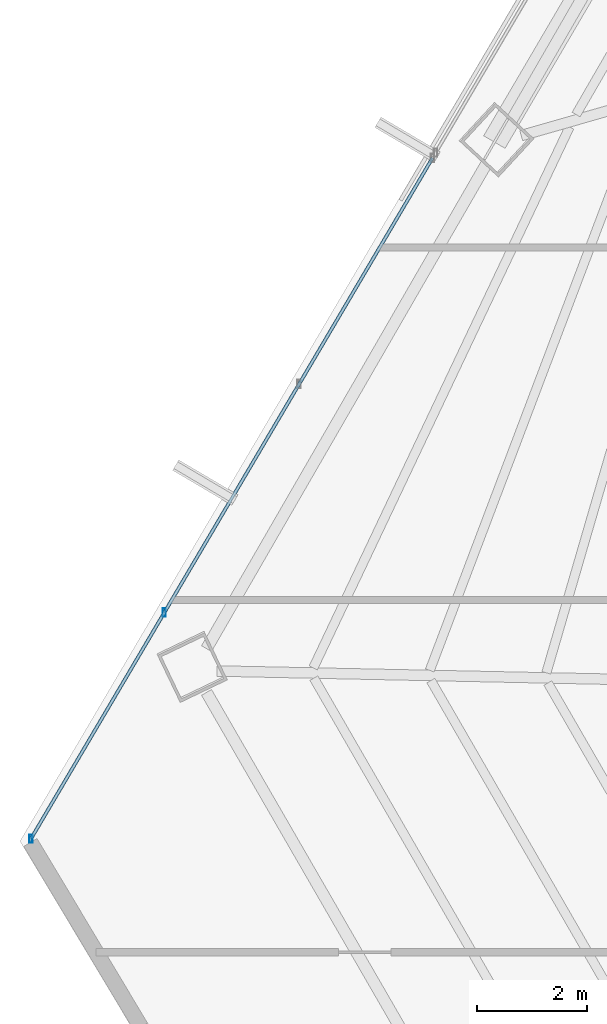
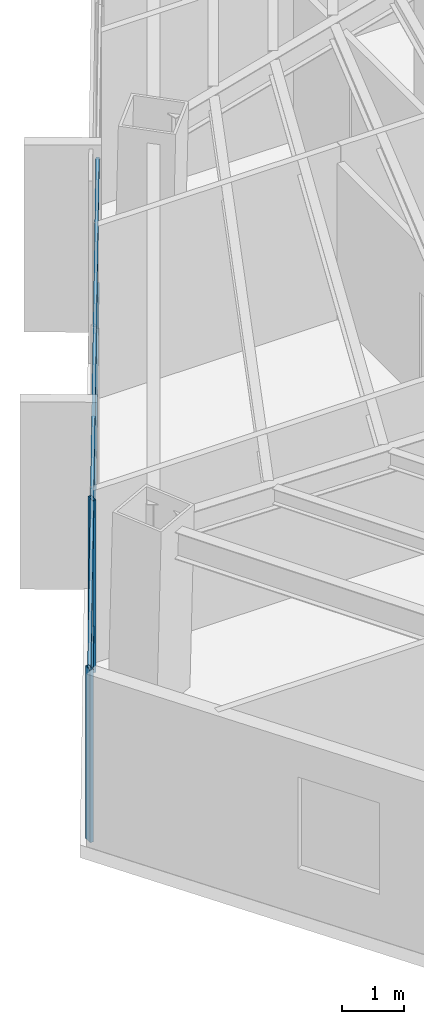
# One storey, part 6 of 41: 4 members, 1 element without a shape of its own.
"""IFC4 building model written with IfcOpenShell, lengths in metres."""

from ifc_helpers import new_model, si_unit, direction, frame, origin, origin_2d, place, context, subcontext, project, spatial, hollow_rectangle, extrude, source, transform, mapped, material, material_profile, profile_set, type_object, type_shapes, element, aggregate, save


model = new_model("IFC4")

# Units and contexts
model_context = context("Model", 3, precision=1e-05, world=origin(), true_north=direction((0.0, 1.0)))
body_context = subcontext(model_context, "Body", "Model", "MODEL_VIEW")
ifc_project = project(units=[si_unit("LENGTHUNIT", "METRE"), si_unit("AREAUNIT", "SQUARE_METRE"), si_unit("VOLUMEUNIT", "CUBIC_METRE"), si_unit("PLANEANGLEUNIT", "RADIAN"), si_unit("MASSUNIT", "GRAM", prefix="KILO")], contexts=[model_context])

# Site, building, storey
site_placement = place(None, origin())
site = spatial("IfcSite", under=ifc_project, at=site_placement, CompositionType="ELEMENT")
building_placement = place(site_placement, origin())
building = spatial("IfcBuilding", under=site, at=building_placement, Name="Caelisora Broadcast Tower", CompositionType="ELEMENT")
storey_placement = place(building_placement, frame((0.0, 0.0, 173.10009765625)))
storey = spatial("IfcBuildingStorey", under=building, at=storey_placement, Name="L45", CompositionType="ELEMENT", Elevation=173.10009765625)

# Curtain wall, members
ifc_material_1 = material(Name="Unitised Aluminium and Low-E Glass Curtain Wall", Category="glass")
curtain_wall_type = type_object("IfcCurtainWallType", Name="CW-Z3", PredefinedType="NOTDEFINED", material=ifc_material_1)
curtain_wall_placement = place(storey_placement, origin())
curtain_wall = element("IfcCurtainWall", 1, at=curtain_wall_placement, inside=storey, type_object=curtain_wall_type, Name="L45 curtain wall CW-Z3", PredefinedType="NOTDEFINED")
ifc_material_2 = material(Name="Aluminium 6063-T6 Anodised Terracotta Bronze", Category="aluminium")
ifc_material_profile_1 = material_profile(ifc_material_2, hollow_rectangle(XDim=0.06005859375, YDim=0.14990234375, WallThickness=0.00341796875, at=origin_2d()), Name="Aluminium 6063-T6 Anodised Terracotta Bronze")
ifc_profile_set_1 = profile_set([ifc_material_profile_1], Name="Aluminium 6063-T6 Anodised Terracotta Bronze")
member_type_1 = type_object("IfcMemberType", Name="CWM-03", PredefinedType="MULLION", material=ifc_profile_set_1)
shared_shape_1 = source(origin(), body_context, "Body", "SweptSolid", [
    extrude(hollow_rectangle(XDim=0.06005859375, YDim=0.14990234375, WallThickness=0.00341796875, at=origin_2d()), origin(), (0.0, 0.0, 1.0), 3.39990234375),
])
type_shapes(member_type_1, [shared_shape_1])
member_1_placement = place(storey_placement, frame((12.6484375, 14.653076171875, 0.0), z_axis=(0.0, 0.0, 1.0), x_axis=(1.0, 0.0, 0.0)))
member_1 = element("IfcMember", 2, at=member_1_placement, type_object=member_type_1, Name="L45-CW-B09 mullion #0", PredefinedType="MULLION", context=body_context, shape_type="MappedRepresentation", body=[
    mapped(shared_shape_1, transform((0.0, 0.0, 0.0), scale=1.0)),
])
member_2_placement = place(storey_placement, frame((15.072998046875, 18.763916015625, 0.0), z_axis=(0.0, 0.0, 1.0), x_axis=(1.0, 0.0, 0.0)))
member_2 = element("IfcMember", 3, at=member_2_placement, type_object=member_type_1, Name="L45-CW-B09 mullion #1", PredefinedType="MULLION", context=body_context, shape_type="MappedRepresentation", body=[
    mapped(shared_shape_1, transform((0.0, 0.0, 0.0), scale=1.0)),
])
ifc_material_profile_2 = material_profile(ifc_material_2, hollow_rectangle(XDim=0.06005859375, YDim=0.14990234375, WallThickness=0.00341796875, at=origin_2d()), Name="Aluminium 6063-T6 Anodised Terracotta Bronze")
ifc_profile_set_2 = profile_set([ifc_material_profile_2], Name="Aluminium 6063-T6 Anodised Terracotta Bronze")
member_type_2 = type_object("IfcMemberType", Name="CWT-02", PredefinedType="USERDEFINED", material=ifc_profile_set_2)
shared_shape_2 = source(origin(), body_context, "Body", "SweptSolid", [
    extrude(hollow_rectangle(XDim=0.06005859375, YDim=0.14990234375, WallThickness=0.00341796875, at=origin_2d()), origin(), (0.0, 0.0, 1.0), 14.3681640625),
])
type_shapes(member_type_2, [shared_shape_2])
member_3_placement = place(storey_placement, frame((12.6484375, 14.653076171875, 0.849853515625), z_axis=(0.508039326545, 0.861333874107, 0.0), x_axis=(-0.861333874107, 0.508039326545, 0.0)))
member_3 = element("IfcMember", 4, at=member_3_placement, type_object=member_type_2, Name="L45-CW-B09 transom #1", ObjectType="TRANSOM", PredefinedType="USERDEFINED", context=body_context, shape_type="MappedRepresentation", body=[
    mapped(shared_shape_2, transform((0.0, 0.0, 0.0), scale=1.0)),
])
member_4_placement = place(storey_placement, frame((12.6484375, 14.653076171875, 3.31982421875), z_axis=(0.508039326545, 0.861333874107, 0.0), x_axis=(-0.861333874107, 0.508039326545, 0.0)))
member_4 = element("IfcMember", 5, at=member_4_placement, type_object=member_type_2, Name="L45-CW-B09 transom #2", ObjectType="TRANSOM", PredefinedType="USERDEFINED", context=body_context, shape_type="MappedRepresentation", body=[
    mapped(shared_shape_2, transform((0.0, 0.0, 0.0), scale=1.0)),
])
aggregate(curtain_wall, [member_1, member_2, member_3, member_4])

save(model, "model.ifc")
